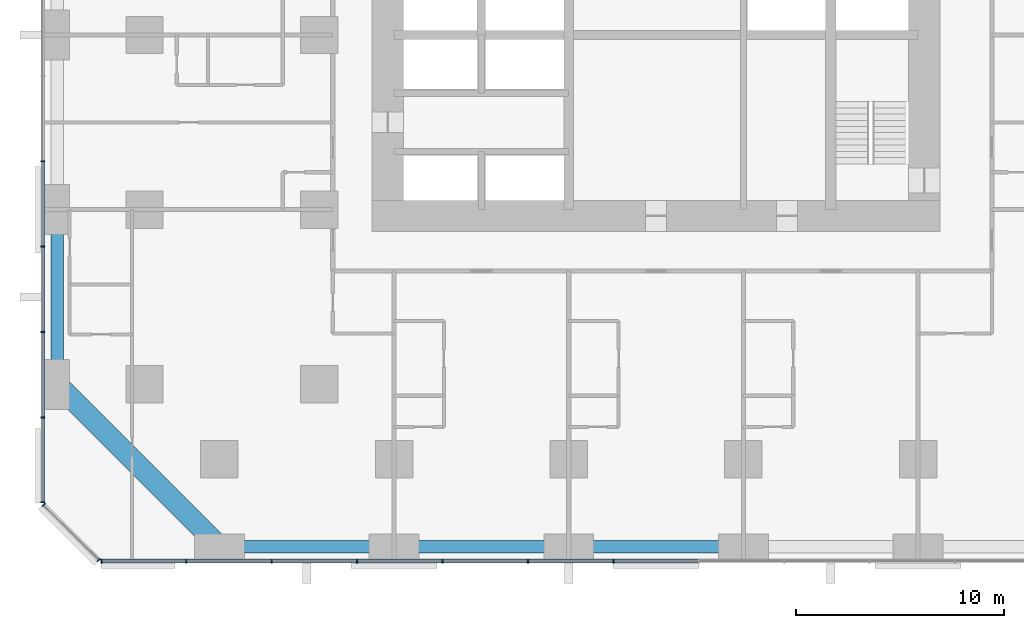
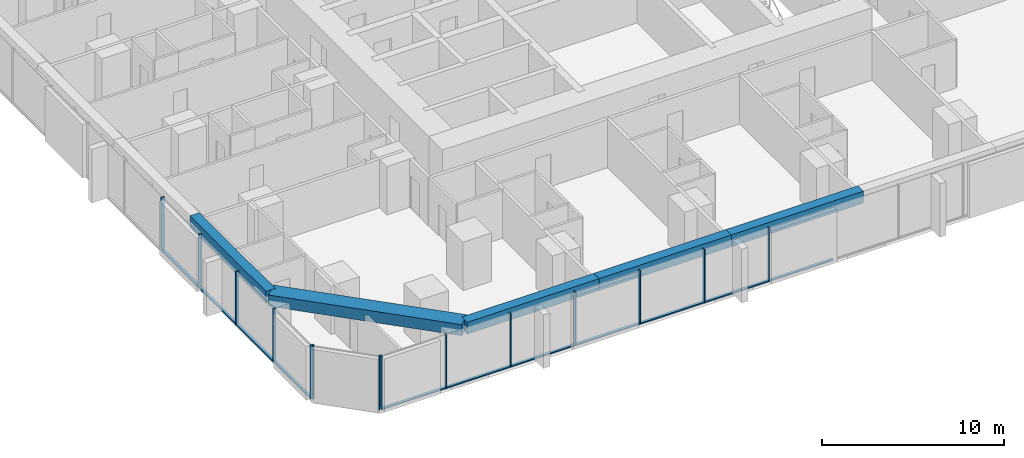
# One storey, part 2 of 17: 25 members, 5 beams, 3 elements without a shape of their own.
"""IFC4 building model written with IfcOpenShell, lengths in metres."""

from ifc_helpers import new_model, si_unit, direction, frame, origin, origin_2d, place, context, subcontext, project, spatial, rectangle, extrude, material, material_profile, profile_set, type_object, element, aggregate, save


model = new_model("IFC4")

# Units and contexts
model_context = context("Model", 3, precision=1e-05, world=origin(), true_north=direction((0.0, 1.0)))
body_context = subcontext(model_context, "Body", "Model", "MODEL_VIEW")
ifc_project = project(units=[si_unit("LENGTHUNIT", "METRE"), si_unit("AREAUNIT", "SQUARE_METRE"), si_unit("VOLUMEUNIT", "CUBIC_METRE"), si_unit("PLANEANGLEUNIT", "RADIAN"), si_unit("MASSUNIT", "GRAM", prefix="KILO")], contexts=[model_context])

# Site, building, storey
site_placement = place(None, origin())
site = spatial("IfcSite", under=ifc_project, at=site_placement, CompositionType="ELEMENT")
building_placement = place(site_placement, origin())
building = spatial("IfcBuilding", under=site, at=building_placement, Name="Dunama Terrace Hotel", CompositionType="ELEMENT")
storey_placement = place(building_placement, frame((0.0, 0.0, 55.800048828125)))
storey = spatial("IfcBuildingStorey", under=building, at=storey_placement, Name="L13", CompositionType="ELEMENT", Elevation=55.800048828125)

# Curtain wall, members
ifc_material_1 = material(Name="Aluminium curtain wall system", Category="aluminium")
curtain_wall_type = type_object("IfcCurtainWallType", Name="Unitised fritted glass wall CW-A", PredefinedType="NOTDEFINED", material=ifc_material_1)
curtain_wall_1_placement = place(storey_placement, origin())
curtain_wall_1 = element("IfcCurtainWall", 1, at=curtain_wall_1_placement, inside=storey, type_object=curtain_wall_type, Name="Unitised fritted glass wall CW-A L13", PredefinedType="NOTDEFINED")
ifc_material_2 = material(Name="Aluminium mullion", Category="aluminium")
ifc_material_profile_1 = material_profile(ifc_material_2, rectangle(XDim=0.06494140625, YDim=0.199951171875, at=origin_2d()), Name="CWA MULLION 65X200")
ifc_profile_set_1 = profile_set([ifc_material_profile_1], Name="Aluminium mullion")
member_type_1 = type_object("IfcMemberType", Name="CWA mullion 65x200", PredefinedType="MULLION", material=ifc_profile_set_1)
member_1_placement = place(storey_placement, frame((2.73291015625, -0.10009765625, 0.0), z_axis=(0.0, 0.0, 1.0), x_axis=(1.0, 0.0, 0.0)))
member_1 = element("IfcMember", 2, at=member_1_placement, type_object=member_type_1, Name="CWA mullion", PredefinedType="MULLION", context=body_context, shape_type="SweptSolid", body=[
    extrude(rectangle(XDim=0.06494140625, YDim=0.199951171875, at=origin_2d()), origin(), (0.0, 0.0, 1.0), 3.599853515625),
])
member_2_placement = place(storey_placement, frame((6.80810546875, -0.10009765625, 0.0), z_axis=(0.0, 0.0, 1.0), x_axis=(1.0, 0.0, 0.0)))
member_2 = element("IfcMember", 3, at=member_2_placement, type_object=member_type_1, Name="CWA mullion", PredefinedType="MULLION", context=body_context, shape_type="SweptSolid", body=[
    extrude(rectangle(XDim=0.06494140625, YDim=0.199951171875, at=origin_2d()), origin(), (0.0, 0.0, 1.0), 3.599853515625),
])
member_3_placement = place(storey_placement, frame((10.9150390625, -0.10009765625, 0.0), z_axis=(0.0, 0.0, 1.0), x_axis=(1.0, 0.0, 0.0)))
member_3 = element("IfcMember", 4, at=member_3_placement, type_object=member_type_1, Name="CWA mullion", PredefinedType="MULLION", context=body_context, shape_type="SweptSolid", body=[
    extrude(rectangle(XDim=0.06494140625, YDim=0.199951171875, at=origin_2d()), origin(), (0.0, 0.0, 1.0), 3.599853515625),
])
member_4_placement = place(storey_placement, frame((15.02294921875, -0.10009765625, 0.0), z_axis=(0.0, 0.0, 1.0), x_axis=(1.0, 0.0, 0.0)))
member_4 = element("IfcMember", 5, at=member_4_placement, type_object=member_type_1, Name="CWA mullion", PredefinedType="MULLION", context=body_context, shape_type="SweptSolid", body=[
    extrude(rectangle(XDim=0.06494140625, YDim=0.199951171875, at=origin_2d()), origin(), (0.0, 0.0, 1.0), 3.599853515625),
])
member_5_placement = place(storey_placement, frame((19.131103515625, -0.10009765625, 0.0), z_axis=(0.0, 0.0, 1.0), x_axis=(1.0, 0.0, 0.0)))
member_5 = element("IfcMember", 6, at=member_5_placement, type_object=member_type_1, Name="CWA mullion", PredefinedType="MULLION", context=body_context, shape_type="SweptSolid", body=[
    extrude(rectangle(XDim=0.06494140625, YDim=0.199951171875, at=origin_2d()), origin(), (0.0, 0.0, 1.0), 3.599853515625),
])
member_6_placement = place(storey_placement, frame((23.238037109375, -0.10009765625, 0.0), z_axis=(0.0, 0.0, 1.0), x_axis=(1.0, 0.0, 0.0)))
member_6 = element("IfcMember", 7, at=member_6_placement, type_object=member_type_1, Name="CWA mullion", PredefinedType="MULLION", context=body_context, shape_type="SweptSolid", body=[
    extrude(rectangle(XDim=0.06494140625, YDim=0.199951171875, at=origin_2d()), origin(), (0.0, 0.0, 1.0), 3.599853515625),
])
member_7_placement = place(storey_placement, frame((27.345947265625, -0.10009765625, 0.0), z_axis=(0.0, 0.0, 1.0), x_axis=(1.0, 0.0, 0.0)))
member_7 = element("IfcMember", 8, at=member_7_placement, type_object=member_type_1, Name="CWA mullion", PredefinedType="MULLION", context=body_context, shape_type="SweptSolid", body=[
    extrude(rectangle(XDim=0.06494140625, YDim=0.199951171875, at=origin_2d()), origin(), (0.0, 0.0, 1.0), 3.599853515625),
])

curtain_wall_2_placement = place(storey_placement, origin())
curtain_wall_2 = element("IfcCurtainWall", 9, at=curtain_wall_2_placement, inside=storey, type_object=curtain_wall_type, Name="Unitised fritted glass wall CW-A L13", PredefinedType="NOTDEFINED")
member_8_placement = place(storey_placement, frame((-0.10009765625, 19.131103515625, 0.0), z_axis=(0.0, 0.0, 1.0), x_axis=(0.0, -1.0, 0.0)))
member_8 = element("IfcMember", 10, at=member_8_placement, type_object=member_type_1, Name="CWA mullion", PredefinedType="MULLION", context=body_context, shape_type="SweptSolid", body=[
    extrude(rectangle(XDim=0.06494140625, YDim=0.199951171875, at=origin_2d()), origin(), (0.0, 0.0, 1.0), 3.599853515625),
])
member_9_placement = place(storey_placement, frame((-0.10009765625, 15.02294921875, 0.0), z_axis=(0.0, 0.0, 1.0), x_axis=(0.0, -1.0, 0.0)))
member_9 = element("IfcMember", 11, at=member_9_placement, type_object=member_type_1, Name="CWA mullion", PredefinedType="MULLION", context=body_context, shape_type="SweptSolid", body=[
    extrude(rectangle(XDim=0.06494140625, YDim=0.199951171875, at=origin_2d()), origin(), (0.0, 0.0, 1.0), 3.599853515625),
])
member_10_placement = place(storey_placement, frame((-0.10009765625, 10.9150390625, 0.0), z_axis=(0.0, 0.0, 1.0), x_axis=(0.0, -1.0, 0.0)))
member_10 = element("IfcMember", 12, at=member_10_placement, type_object=member_type_1, Name="CWA mullion", PredefinedType="MULLION", context=body_context, shape_type="SweptSolid", body=[
    extrude(rectangle(XDim=0.06494140625, YDim=0.199951171875, at=origin_2d()), origin(), (0.0, 0.0, 1.0), 3.599853515625),
])
member_11_placement = place(storey_placement, frame((-0.10009765625, 6.80810546875, 0.0), z_axis=(0.0, 0.0, 1.0), x_axis=(0.0, -1.0, 0.0)))
member_11 = element("IfcMember", 13, at=member_11_placement, type_object=member_type_1, Name="CWA mullion", PredefinedType="MULLION", context=body_context, shape_type="SweptSolid", body=[
    extrude(rectangle(XDim=0.06494140625, YDim=0.199951171875, at=origin_2d()), origin(), (0.0, 0.0, 1.0), 3.599853515625),
])
member_12_placement = place(storey_placement, frame((-0.10009765625, 2.73291015625, 0.0), z_axis=(0.0, 0.0, 1.0), x_axis=(0.0, -1.0, 0.0)))
member_12 = element("IfcMember", 14, at=member_12_placement, type_object=member_type_1, Name="CWA mullion", PredefinedType="MULLION", context=body_context, shape_type="SweptSolid", body=[
    extrude(rectangle(XDim=0.06494140625, YDim=0.199951171875, at=origin_2d()), origin(), (0.0, 0.0, 1.0), 3.599853515625),
])

curtain_wall_3_placement = place(storey_placement, origin())
curtain_wall_3 = element("IfcCurtainWall", 15, at=curtain_wall_3_placement, inside=storey, type_object=curtain_wall_type, Name="Unitised fritted glass wall CW-A L13", PredefinedType="NOTDEFINED")
member_13_placement = place(storey_placement, frame((-0.048095703125, 2.60595703125, 0.0), z_axis=(0.0, 0.0, 1.0), x_axis=(0.707106781187, -0.707106781187, 0.0)))
member_13 = element("IfcMember", 16, at=member_13_placement, type_object=member_type_1, Name="CWA mullion", PredefinedType="MULLION", context=body_context, shape_type="SweptSolid", body=[
    extrude(rectangle(XDim=0.06494140625, YDim=0.199951171875, at=origin_2d()), origin(), (0.0, 0.0, 1.0), 3.599853515625),
])
member_14_placement = place(storey_placement, frame((2.60595703125, -0.048095703125, 0.0), z_axis=(0.0, 0.0, 1.0), x_axis=(0.707106781187, -0.707106781187, 0.0)))
member_14 = element("IfcMember", 17, at=member_14_placement, type_object=member_type_1, Name="CWA mullion", PredefinedType="MULLION", context=body_context, shape_type="SweptSolid", body=[
    extrude(rectangle(XDim=0.06494140625, YDim=0.199951171875, at=origin_2d()), origin(), (0.0, 0.0, 1.0), 3.599853515625),
])
aggregate(curtain_wall_3, [member_13, member_14])

# Member
ifc_material_3 = material(Name="Aluminium transom", Category="aluminium")
ifc_material_profile_2 = material_profile(ifc_material_3, rectangle(XDim=0.179931640625, YDim=0.074951171875, at=origin_2d()), Name="CWA TRANSOM 180X75")
ifc_profile_set_2 = profile_set([ifc_material_profile_2], Name="Aluminium transom")
member_type_2 = type_object("IfcMemberType", Name="CWA transom 180x75", PredefinedType="USERDEFINED", material=ifc_profile_set_2)
member_15_placement = place(storey_placement, frame((2.764892578125, -0.10009765625, 0.037353515625), z_axis=(1.0, 0.0, 0.0), x_axis=(0.0, 1.0, 0.0)))
member_15 = element("IfcMember", 18, at=member_15_placement, type_object=member_type_2, Name="CWA transom", ObjectType="TRANSOM", PredefinedType="USERDEFINED", context=body_context, shape_type="SweptSolid", body=[
    extrude(rectangle(XDim=0.179931640625, YDim=0.074951171875, at=origin_2d()), origin(), (0.0, 0.0, 1.0), 4.010009765625),
])

member_16_placement = place(storey_placement, frame((6.840087890625, -0.10009765625, 0.037353515625), z_axis=(1.0, 0.0, 0.0), x_axis=(0.0, 1.0, 0.0)))
member_16 = element("IfcMember", 19, at=member_16_placement, type_object=member_type_2, Name="CWA transom", ObjectType="TRANSOM", PredefinedType="USERDEFINED", context=body_context, shape_type="SweptSolid", body=[
    extrude(rectangle(XDim=0.179931640625, YDim=0.074951171875, at=origin_2d()), origin(), (0.0, 0.0, 1.0), 4.04296875),
])

member_17_placement = place(storey_placement, frame((10.947998046875, -0.10009765625, 0.037353515625), z_axis=(1.0, 0.0, 0.0), x_axis=(0.0, 1.0, 0.0)))
member_17 = element("IfcMember", 20, at=member_17_placement, type_object=member_type_2, Name="CWA transom", ObjectType="TRANSOM", PredefinedType="USERDEFINED", context=body_context, shape_type="SweptSolid", body=[
    extrude(rectangle(XDim=0.179931640625, YDim=0.074951171875, at=origin_2d()), origin(), (0.0, 0.0, 1.0), 4.04296875),
])

member_18_placement = place(storey_placement, frame((15.055908203125, -0.10009765625, 0.037353515625), z_axis=(1.0, 0.0, 0.0), x_axis=(0.0, 1.0, 0.0)))
member_18 = element("IfcMember", 21, at=member_18_placement, type_object=member_type_2, Name="CWA transom", ObjectType="TRANSOM", PredefinedType="USERDEFINED", context=body_context, shape_type="SweptSolid", body=[
    extrude(rectangle(XDim=0.179931640625, YDim=0.074951171875, at=origin_2d()), origin(), (0.0, 0.0, 1.0), 4.0419921875),
])

member_19_placement = place(storey_placement, frame((19.1630859375, -0.10009765625, 0.037353515625), z_axis=(1.0, 0.0, 0.0), x_axis=(0.0, 1.0, 0.0)))
member_19 = element("IfcMember", 22, at=member_19_placement, type_object=member_type_2, Name="CWA transom", ObjectType="TRANSOM", PredefinedType="USERDEFINED", context=body_context, shape_type="SweptSolid", body=[
    extrude(rectangle(XDim=0.179931640625, YDim=0.074951171875, at=origin_2d()), origin(), (0.0, 0.0, 1.0), 4.04296875),
])

member_20_placement = place(storey_placement, frame((23.27099609375, -0.10009765625, 0.037353515625), z_axis=(1.0, 0.0, 0.0), x_axis=(0.0, 1.0, 0.0)))
member_20 = element("IfcMember", 23, at=member_20_placement, type_object=member_type_2, Name="CWA transom", ObjectType="TRANSOM", PredefinedType="USERDEFINED", context=body_context, shape_type="SweptSolid", body=[
    extrude(rectangle(XDim=0.179931640625, YDim=0.074951171875, at=origin_2d()), origin(), (0.0, 0.0, 1.0), 4.04296875),
])

member_21_placement = place(storey_placement, frame((27.37890625, -0.10009765625, 0.037353515625), z_axis=(1.0, 0.0, 0.0), x_axis=(0.0, 1.0, 0.0)))
member_21 = element("IfcMember", 24, at=member_21_placement, type_object=member_type_2, Name="CWA transom", ObjectType="TRANSOM", PredefinedType="USERDEFINED", context=body_context, shape_type="SweptSolid", body=[
    extrude(rectangle(XDim=0.179931640625, YDim=0.074951171875, at=origin_2d()), origin(), (0.0, 0.0, 1.0), 4.0419921875),
])

aggregate(curtain_wall_1, [member_1, member_2, member_3, member_4, member_5, member_6, member_7, member_15, member_16, member_17, member_18, member_19, member_20, member_21])

member_22_placement = place(storey_placement, frame((-0.10009765625, 19.097900390625, 0.037353515625), z_axis=(0.0, -1.0, 0.0), x_axis=(1.0, 0.0, 0.0)))
member_22 = element("IfcMember", 25, at=member_22_placement, type_object=member_type_2, Name="CWA transom", ObjectType="TRANSOM", PredefinedType="USERDEFINED", context=body_context, shape_type="SweptSolid", body=[
    extrude(rectangle(XDim=0.179931640625, YDim=0.074951171875, at=origin_2d()), origin(), (0.0, 0.0, 1.0), 4.0419921875),
])

member_23_placement = place(storey_placement, frame((-0.10009765625, 14.990966796875, 0.037353515625), z_axis=(0.0, -1.0, 0.0), x_axis=(1.0, 0.0, 0.0)))
member_23 = element("IfcMember", 26, at=member_23_placement, type_object=member_type_2, Name="CWA transom", ObjectType="TRANSOM", PredefinedType="USERDEFINED", context=body_context, shape_type="SweptSolid", body=[
    extrude(rectangle(XDim=0.179931640625, YDim=0.074951171875, at=origin_2d()), origin(), (0.0, 0.0, 1.0), 4.04296875),
])

member_24_placement = place(storey_placement, frame((-0.10009765625, 10.883056640625, 0.037353515625), z_axis=(0.0, -1.0, 0.0), x_axis=(1.0, 0.0, 0.0)))
member_24 = element("IfcMember", 27, at=member_24_placement, type_object=member_type_2, Name="CWA transom", ObjectType="TRANSOM", PredefinedType="USERDEFINED", context=body_context, shape_type="SweptSolid", body=[
    extrude(rectangle(XDim=0.179931640625, YDim=0.074951171875, at=origin_2d()), origin(), (0.0, 0.0, 1.0), 4.04296875),
])

member_25_placement = place(storey_placement, frame((-0.10009765625, 6.77490234375, 0.037353515625), z_axis=(0.0, -1.0, 0.0), x_axis=(1.0, 0.0, 0.0)))
member_25 = element("IfcMember", 28, at=member_25_placement, type_object=member_type_2, Name="CWA transom", ObjectType="TRANSOM", PredefinedType="USERDEFINED", context=body_context, shape_type="SweptSolid", body=[
    extrude(rectangle(XDim=0.179931640625, YDim=0.074951171875, at=origin_2d()), origin(), (0.0, 0.0, 1.0), 4.010009765625),
])

aggregate(curtain_wall_2, [member_8, member_9, member_10, member_11, member_12, member_22, member_23, member_24, member_25])

# Beams
ifc_material_4 = material(Name="Concrete C50/60", Category="concrete")
ifc_material_profile_3 = material_profile(ifc_material_4, rectangle(XDim=1.0, YDim=0.75, at=origin_2d()), Name="RC 1000x750")
ifc_profile_set_3 = profile_set([ifc_material_profile_3], Name="Concrete C50/60")
beam_type_1 = type_object("IfcBeamType", Name="Edge beam RC 1000x750", PredefinedType="SPANDREL", material=ifc_profile_set_3)
beam_1_placement = place(storey_placement, frame((8.39990234375, 0.60009765625, 3.224853515625), z_axis=(-0.707106781187, 0.707106781187, 0.0), x_axis=(-0.707106781187, -0.707106781187, 0.0)))
element("IfcBeam", 29, at=beam_1_placement, inside=storey, type_object=beam_type_1, Name="Corner edge beam under L14", PredefinedType="SPANDREL", context=body_context, shape_type="SweptSolid", body=[
    extrude(rectangle(XDim=1.0, YDim=0.75, at=origin_2d()), origin(), (0.0, 0.0, 1.0), 11.030517578125),
])
ifc_material_5 = material(Name="Concrete C40/50", Category="concrete")
ifc_material_profile_4 = material_profile(ifc_material_5, rectangle(XDim=0.60009765625, YDim=0.800048828125, at=origin_2d()), Name="RC 600x800")
ifc_profile_set_4 = profile_set([ifc_material_profile_4], Name="Concrete C40/50")
beam_type_2 = type_object("IfcBeamType", Name="Edge beam RC 600x800", PredefinedType="SPANDREL", material=ifc_profile_set_4)
for number, where, z_axis, x_axis, name in (
    (30, (0.60009765625, 8.39990234375, 3.199951171875), (0.0, 1.0, 0.0), (-1.0, 0.0, 0.0), "Edge beam under L14"),
    (31, (8.39990234375, 0.60009765625, 3.199951171875), (1.0, 0.0, 0.0), (0.0, 1.0, 0.0), "Edge beam under L14"),
):
    element("IfcBeam", number, at=place(storey_placement, frame(where, z_axis=z_axis, x_axis=x_axis)), inside=storey, type_object=beam_type_2, Name=name, PredefinedType="SPANDREL", context=body_context, shape_type="SweptSolid", body=[
        extrude(rectangle(XDim=0.60009765625, YDim=0.800048828125, at=origin_2d()), origin(), (0.0, 0.0, 1.0), 8.400146484375),
    ])
beam_2_placement = place(storey_placement, frame((16.800048828125, 0.60009765625, 3.199951171875), z_axis=(1.0, 0.0, 0.0), x_axis=(0.0, 1.0, 0.0)))
element("IfcBeam", 32, at=beam_2_placement, inside=storey, type_object=beam_type_2, Name="Edge beam under L14", PredefinedType="SPANDREL", context=body_context, shape_type="SweptSolid", body=[
    extrude(rectangle(XDim=0.60009765625, YDim=0.800048828125, at=origin_2d()), origin(), (0.0, 0.0, 1.0), 8.39990234375),
])
beam_3_placement = place(storey_placement, frame((25.199951171875, 0.60009765625, 3.199951171875), z_axis=(1.0, 0.0, 0.0), x_axis=(0.0, 1.0, 0.0)))
element("IfcBeam", 33, at=beam_3_placement, inside=storey, type_object=beam_type_2, Name="Edge beam under L14", PredefinedType="SPANDREL", context=body_context, shape_type="SweptSolid", body=[
    extrude(rectangle(XDim=0.60009765625, YDim=0.800048828125, at=origin_2d()), origin(), (0.0, 0.0, 1.0), 8.400146484375),
])

save(model, "model.ifc")
